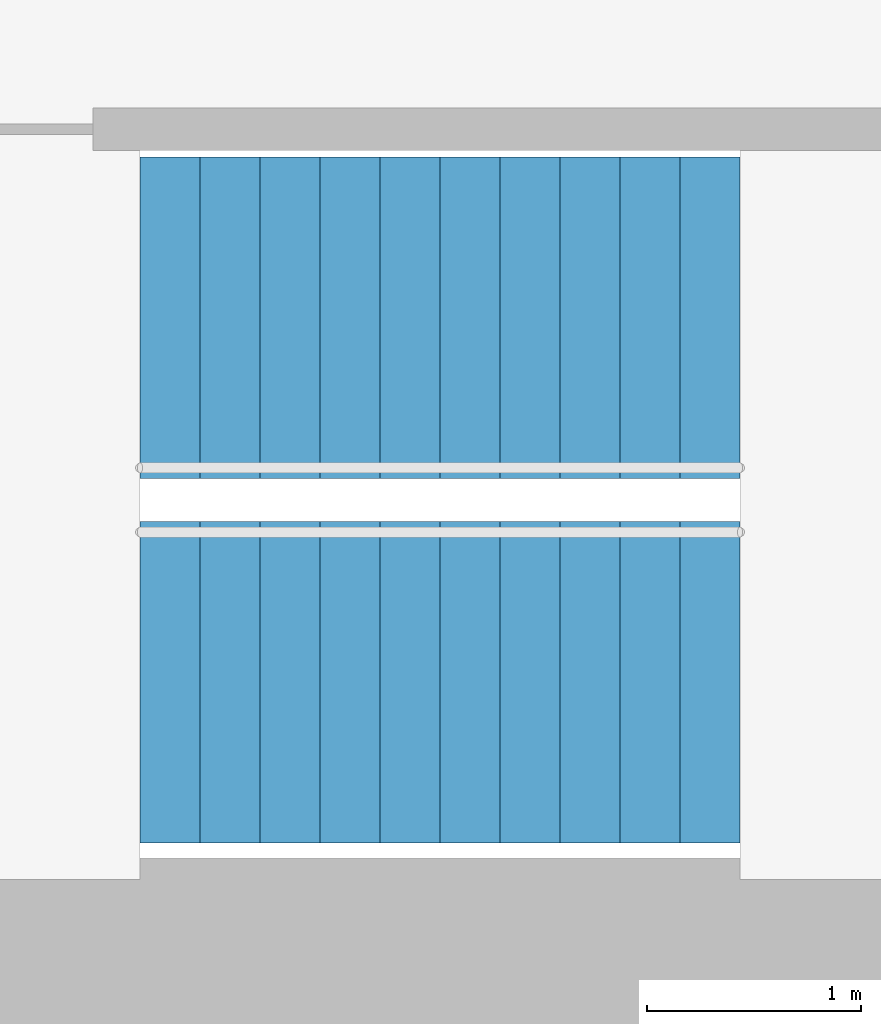
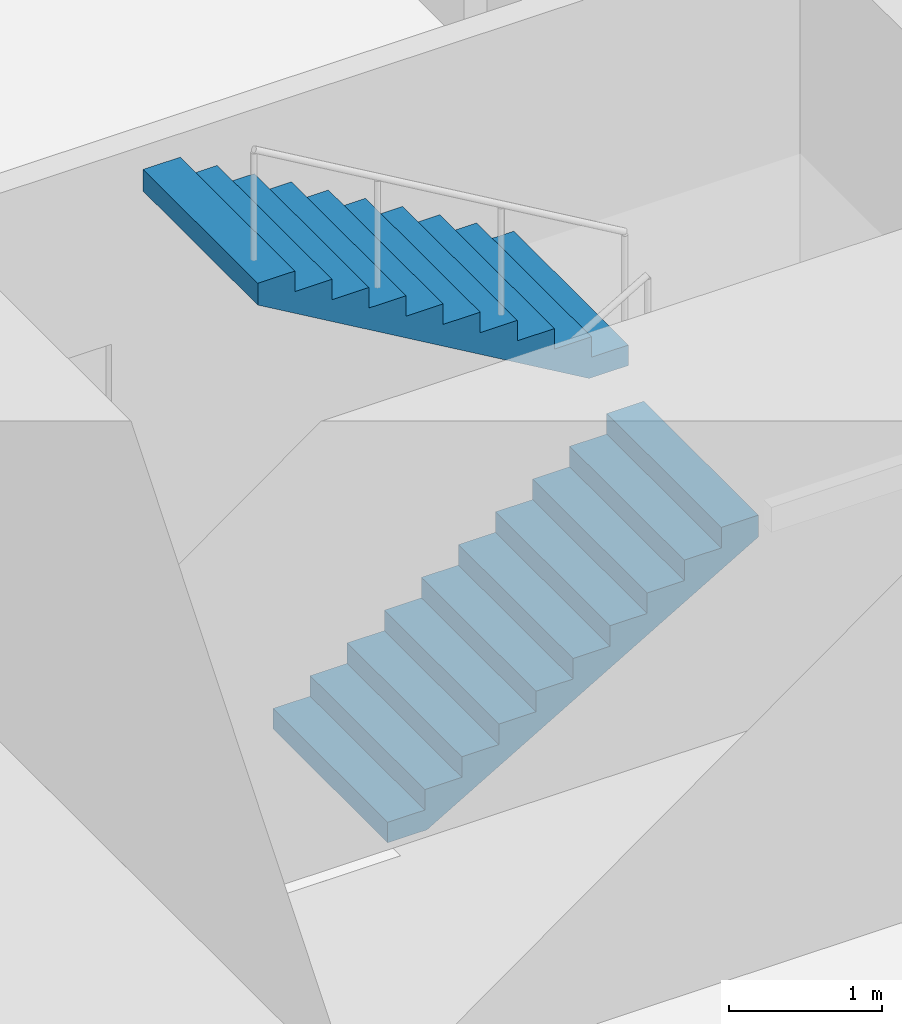
# One storey, part 13 of 15: 2 stair flights, 1 element without a shape of its own.
"""IFC4 building model written with IfcOpenShell, lengths in metres."""

from ifc_helpers import new_model, si_unit, direction, frame, origin, place, context, subcontext, project, spatial, triangles, material, type_object, element, aggregate, save


model = new_model("IFC4")

# Units and contexts
model_context = context("Model", 3, precision=1e-05, world=origin(), true_north=direction((0.0, 1.0)))
body_context = subcontext(model_context, "Body", "Model", "MODEL_VIEW")
ifc_project = project(units=[si_unit("LENGTHUNIT", "METRE"), si_unit("AREAUNIT", "SQUARE_METRE"), si_unit("VOLUMEUNIT", "CUBIC_METRE"), si_unit("PLANEANGLEUNIT", "RADIAN"), si_unit("MASSUNIT", "GRAM", prefix="KILO")], contexts=[model_context])

# Site, building, storey
site_placement = place(None, origin())
site = spatial("IfcSite", under=ifc_project, at=site_placement, CompositionType="ELEMENT")
building_placement = place(site_placement, origin())
building = spatial("IfcBuilding", under=site, at=building_placement, Name="Lantaw Convention Tower", CompositionType="ELEMENT")
storey_placement = place(building_placement, frame((0.0, 0.0, 101.800048828125)))
storey = spatial("IfcBuildingStorey", under=building, at=storey_placement, Name="L24", CompositionType="ELEMENT", Elevation=101.800048828125)

# Stair, stair flights
ifc_material = material(Name="Concrete C35/45", Category="concrete")
stair_type = type_object("IfcStairType", Name="Exit stair 1500 riser 163.64 in 2 flights", PredefinedType="HALF_TURN_STAIR", material=ifc_material)
stair_placement = place(storey_placement, origin())
stair = element("IfcStair", 1, at=stair_placement, inside=storey, type_object=stair_type, Name="Exit stair S1 L24", PredefinedType="HALF_TURN_STAIR")
stair_flight_type = type_object("IfcStairFlightType", Name="Stair flight 1500 riser 163.64", PredefinedType="STRAIGHT", material=ifc_material)
stair_flight_1_placement = place(storey_placement, frame((-10.580078125, -5.97998046875, 0.0), z_axis=(0.0, 0.0, 1.0), x_axis=(1.0, 0.0, 0.0)))
stair_flight_1 = element("IfcStairFlight", 2, at=stair_flight_1_placement, type_object=stair_flight_type, Name="S1 flight 1", NumberOfRisers=11, NumberOfTreads=10, PredefinedType="STRAIGHT", RiserHeight=0.163636364, TreadLength=0.28, context=body_context, shape_type="Tessellation", body=[
    triangles([(0.0, 0.75, 0.0), (0.0, 0.75, 0.163636364), (0.28, 0.75, 0.0), (0.28, 0.75, 0.163636364), (0.28, 0.75, 0.327272728), (0.2970904571225277, 0.75, 0.0), (0.2970904571225277, 0.75, 0.327272728), (0.56, 0.75, 0.1536484344906131), (0.56, 0.75, 0.327272728), (0.56, 0.75, 0.490909092), (0.8400000000000001, 0.75, 0.3172847984906131), (0.8400000000000001, 0.75, 0.490909092), (0.8400000000000001, 0.75, 0.654545456), (1.12, 0.75, 0.4809211624906131), (1.12, 0.75, 0.654545456), (1.12, 0.75, 0.8181818200000001), (1.4000000000000001, 0.75, 0.6445575264906132), (1.4000000000000001, 0.75, 0.8181818200000001), (1.4000000000000001, 0.75, 0.981818184), (1.6800000000000002, 0.75, 0.8081938904906131), (1.6800000000000002, 0.75, 0.981818184), (1.6800000000000002, 0.75, 1.145454548), (1.9600000000000002, 0.75, 0.9718302544906131), (1.9600000000000002, 0.75, 1.145454548), (1.9600000000000002, 0.75, 1.309090912), (2.24, 0.75, 1.135466618490613), (2.24, 0.75, 1.309090912), (2.24, 0.75, 1.472727276), (2.5200000000000005, 0.75, 1.2991029824906133), (2.5200000000000005, 0.75, 1.472727276), (2.5200000000000005, 0.75, 1.6363636400000001), (2.8000000000000003, 0.75, 1.462739346490613), (2.8000000000000003, 0.75, 1.6363636400000001), (0.0, -0.75, 0.0), (0.0, -0.75, 0.163636364), (0.28, -0.75, 0.0), (0.28, -0.75, 0.163636364), (0.28, -0.75, 0.327272728), (0.2970904571225277, -0.75, 0.0), (0.2970904571225277, -0.75, 0.327272728), (0.56, -0.75, 0.1536484344906131), (0.56, -0.75, 0.327272728), (0.56, -0.75, 0.490909092), (0.8400000000000001, -0.75, 0.3172847984906131), (0.8400000000000001, -0.75, 0.490909092), (0.8400000000000001, -0.75, 0.654545456), (1.12, -0.75, 0.4809211624906131), (1.12, -0.75, 0.654545456), (1.12, -0.75, 0.8181818200000001), (1.4000000000000001, -0.75, 0.6445575264906132), (1.4000000000000001, -0.75, 0.8181818200000001), (1.4000000000000001, -0.75, 0.981818184), (1.6800000000000002, -0.75, 0.8081938904906131), (1.6800000000000002, -0.75, 0.981818184), (1.6800000000000002, -0.75, 1.145454548), (1.9600000000000002, -0.75, 0.9718302544906131), (1.9600000000000002, -0.75, 1.145454548), (1.9600000000000002, -0.75, 1.309090912), (2.24, -0.75, 1.135466618490613), (2.24, -0.75, 1.309090912), (2.24, -0.75, 1.472727276), (2.5200000000000005, -0.75, 1.2991029824906133), (2.5200000000000005, -0.75, 1.472727276), (2.5200000000000005, -0.75, 1.6363636400000001), (2.8000000000000003, -0.75, 1.462739346490613), (2.8000000000000003, -0.75, 1.6363636400000001), (0.0, 0.15000000000000002, 0.163636364), (0.0, 0.15000000000000002, 0.0), (0.0, 0.0, 0.163636364), (0.0, 0.0, 0.0), (0.0, -0.15000000000000002, 0.163636364), (0.0, -0.15000000000000002, 0.0), (0.28, 0.15000000000000002, 0.327272728), (0.28, 0.15000000000000002, 0.163636364), (0.28, 0.0, 0.327272728), (0.28, 0.0, 0.163636364), (0.28, -0.15000000000000002, 0.327272728), (0.28, -0.15000000000000002, 0.163636364), (0.56, 0.15000000000000002, 0.490909092), (0.56, 0.15000000000000002, 0.327272728), (0.56, 0.0, 0.490909092), (0.56, 0.0, 0.327272728), (0.56, -0.15000000000000002, 0.490909092), (0.56, -0.15000000000000002, 0.327272728), (0.8400000000000001, 0.15000000000000002, 0.654545456), (0.8400000000000001, 0.15000000000000002, 0.490909092), (0.8400000000000001, 0.0, 0.654545456), (0.8400000000000001, 0.0, 0.490909092), (0.8400000000000001, -0.15000000000000002, 0.654545456), (0.8400000000000001, -0.15000000000000002, 0.490909092), (1.12, 0.15000000000000002, 0.8181818200000001), (1.12, 0.15000000000000002, 0.654545456), (1.12, 0.0, 0.8181818200000001), (1.12, 0.0, 0.654545456), (1.12, -0.15000000000000002, 0.8181818200000001), (1.12, -0.15000000000000002, 0.654545456), (1.4000000000000001, 0.15000000000000002, 0.981818184), (1.4000000000000001, 0.15000000000000002, 0.8181818200000001), (1.4000000000000001, 0.0, 0.981818184), (1.4000000000000001, 0.0, 0.8181818200000001), (1.4000000000000001, -0.15000000000000002, 0.981818184), (1.4000000000000001, -0.15000000000000002, 0.8181818200000001), (1.6800000000000002, 0.15000000000000002, 1.145454548), (1.6800000000000002, 0.15000000000000002, 0.981818184), (1.6800000000000002, 0.0, 1.145454548), (1.6800000000000002, 0.0, 0.981818184), (1.6800000000000002, -0.15000000000000002, 1.145454548), (1.6800000000000002, -0.15000000000000002, 0.981818184), (1.9600000000000002, 0.15000000000000002, 1.309090912), (1.9600000000000002, 0.15000000000000002, 1.145454548), (1.9600000000000002, 0.0, 1.309090912), (1.9600000000000002, 0.0, 1.145454548), (1.9600000000000002, -0.15000000000000002, 1.309090912), (1.9600000000000002, -0.15000000000000002, 1.145454548), (2.24, 0.15000000000000002, 1.472727276), (2.24, 0.15000000000000002, 1.309090912), (2.24, 0.0, 1.472727276), (2.24, 0.0, 1.309090912), (2.24, -0.15000000000000002, 1.472727276), (2.24, -0.15000000000000002, 1.309090912), (2.5200000000000005, 0.15000000000000002, 1.6363636400000001), (2.5200000000000005, 0.15000000000000002, 1.472727276), (2.5200000000000005, 0.0, 1.6363636400000001), (2.5200000000000005, 0.0, 1.472727276), (2.5200000000000005, -0.15000000000000002, 1.6363636400000001), (2.5200000000000005, -0.15000000000000002, 1.472727276), (0.2970904571225277, 0.15000000000000002, 0.327272728), (0.2970904571225277, 0.0, 0.327272728), (0.2970904571225277, -0.15000000000000002, 0.327272728), (2.8000000000000003, 0.15000000000000002, 1.6363636400000001), (2.8000000000000003, 0.0, 1.6363636400000001), (2.8000000000000003, -0.15000000000000002, 1.6363636400000001), (2.8000000000000003, 0.15000000000000002, 1.462739346490613), (2.8000000000000003, 0.0, 1.462739346490613), (2.8000000000000003, -0.15000000000000002, 1.462739346490613), (2.5200000000000005, 0.15000000000000002, 1.2991029824906133), (2.5200000000000005, 0.0, 1.2991029824906133), (2.5200000000000005, -0.15000000000000002, 1.2991029824906133), (2.24, 0.15000000000000002, 1.135466618490613), (2.24, 0.0, 1.135466618490613), (2.24, -0.15000000000000002, 1.135466618490613), (1.9600000000000002, 0.15000000000000002, 0.9718302544906131), (1.9600000000000002, 0.0, 0.9718302544906131), (1.9600000000000002, -0.15000000000000002, 0.9718302544906131), (1.6800000000000002, 0.15000000000000002, 0.8081938904906131), (1.6800000000000002, 0.0, 0.8081938904906131), (1.6800000000000002, -0.15000000000000002, 0.8081938904906131), (1.4000000000000001, 0.15000000000000002, 0.6445575264906132), (1.4000000000000001, 0.0, 0.6445575264906132), (1.4000000000000001, -0.15000000000000002, 0.6445575264906132), (1.12, 0.15000000000000002, 0.4809211624906131), (1.12, 0.0, 0.4809211624906131), (1.12, -0.15000000000000002, 0.4809211624906131), (0.8400000000000001, 0.15000000000000002, 0.3172847984906131), (0.8400000000000001, 0.0, 0.3172847984906131), (0.8400000000000001, -0.15000000000000002, 0.3172847984906131), (0.56, 0.15000000000000002, 0.1536484344906131), (0.56, 0.0, 0.1536484344906131), (0.56, -0.15000000000000002, 0.1536484344906131), (0.2970904571225277, 0.15000000000000002, 0.0), (0.2970904571225277, 0.0, 0.0), (0.2970904571225277, -0.15000000000000002, 0.0), (0.28, 0.15000000000000002, 0.0), (0.28, 0.0, 0.0), (0.28, -0.15000000000000002, 0.0)], [[1, 4, 3], [1, 2, 4], [3, 4, 6], [4, 7, 6], [4, 5, 7], [6, 9, 8], [6, 7, 9], [8, 9, 11], [9, 12, 11], [9, 10, 12], [11, 12, 14], [12, 15, 14], [12, 13, 15], [14, 15, 17], [15, 18, 17], [15, 16, 18], [17, 18, 20], [18, 21, 20], [18, 19, 21], [20, 21, 23], [21, 24, 23], [21, 22, 24], [23, 24, 26], [24, 27, 26], [24, 25, 27], [26, 27, 29], [27, 30, 29], [27, 28, 30], [29, 30, 32], [30, 33, 32], [30, 31, 33], [34, 36, 37], [34, 37, 35], [36, 39, 37], [37, 39, 40], [37, 40, 38], [39, 41, 42], [39, 42, 40], [41, 44, 42], [42, 44, 45], [42, 45, 43], [44, 47, 45], [45, 47, 48], [45, 48, 46], [47, 50, 48], [48, 50, 51], [48, 51, 49], [50, 53, 51], [51, 53, 54], [51, 54, 52], [53, 56, 54], [54, 56, 57], [54, 57, 55], [56, 59, 57], [57, 59, 60], [57, 60, 58], [59, 62, 60], [60, 62, 63], [60, 63, 61], [62, 65, 63], [63, 65, 66], [63, 66, 64], [1, 67, 2], [1, 68, 67], [68, 69, 67], [68, 70, 69], [70, 71, 69], [70, 72, 71], [72, 35, 71], [72, 34, 35], [4, 73, 5], [4, 74, 73], [74, 75, 73], [74, 76, 75], [76, 77, 75], [76, 78, 77], [78, 38, 77], [78, 37, 38], [9, 79, 10], [9, 80, 79], [80, 81, 79], [80, 82, 81], [82, 83, 81], [82, 84, 83], [84, 43, 83], [84, 42, 43], [12, 85, 13], [12, 86, 85], [86, 87, 85], [86, 88, 87], [88, 89, 87], [88, 90, 89], [90, 46, 89], [90, 45, 46], [15, 91, 16], [15, 92, 91], [92, 93, 91], [92, 94, 93], [94, 95, 93], [94, 96, 95], [96, 49, 95], [96, 48, 49], [18, 97, 19], [18, 98, 97], [98, 99, 97], [98, 100, 99], [100, 101, 99], [100, 102, 101], [102, 52, 101], [102, 51, 52], [21, 103, 22], [21, 104, 103], [104, 105, 103], [104, 106, 105], [106, 107, 105], [106, 108, 107], [108, 55, 107], [108, 54, 55], [24, 109, 25], [24, 110, 109], [110, 111, 109], [110, 112, 111], [112, 113, 111], [112, 114, 113], [114, 58, 113], [114, 57, 58], [27, 115, 28], [27, 116, 115], [116, 117, 115], [116, 118, 117], [118, 119, 117], [118, 120, 119], [120, 61, 119], [120, 60, 61], [30, 121, 31], [30, 122, 121], [122, 123, 121], [122, 124, 123], [124, 125, 123], [124, 126, 125], [126, 64, 125], [126, 63, 64], [2, 74, 4], [2, 67, 74], [67, 76, 74], [67, 69, 76], [69, 78, 76], [69, 71, 78], [71, 37, 78], [71, 35, 37], [5, 127, 7], [5, 73, 127], [73, 128, 127], [73, 75, 128], [75, 129, 128], [75, 77, 129], [77, 40, 129], [77, 38, 40], [7, 80, 9], [7, 127, 80], [127, 82, 80], [127, 128, 82], [128, 84, 82], [128, 129, 84], [129, 42, 84], [129, 40, 42], [10, 86, 12], [10, 79, 86], [79, 88, 86], [79, 81, 88], [81, 90, 88], [81, 83, 90], [83, 45, 90], [83, 43, 45], [13, 92, 15], [13, 85, 92], [85, 94, 92], [85, 87, 94], [87, 96, 94], [87, 89, 96], [89, 48, 96], [89, 46, 48], [16, 98, 18], [16, 91, 98], [91, 100, 98], [91, 93, 100], [93, 102, 100], [93, 95, 102], [95, 51, 102], [95, 49, 51], [19, 104, 21], [19, 97, 104], [97, 106, 104], [97, 99, 106], [99, 108, 106], [99, 101, 108], [101, 54, 108], [101, 52, 54], [22, 110, 24], [22, 103, 110], [103, 112, 110], [103, 105, 112], [105, 114, 112], [105, 107, 114], [107, 57, 114], [107, 55, 57], [25, 116, 27], [25, 109, 116], [109, 118, 116], [109, 111, 118], [111, 120, 118], [111, 113, 120], [113, 60, 120], [113, 58, 60], [28, 122, 30], [28, 115, 122], [115, 124, 122], [115, 117, 124], [117, 126, 124], [117, 119, 126], [119, 63, 126], [119, 61, 63], [31, 130, 33], [31, 121, 130], [121, 131, 130], [121, 123, 131], [123, 132, 131], [123, 125, 132], [125, 66, 132], [125, 64, 66], [33, 133, 32], [33, 130, 133], [130, 134, 133], [130, 131, 134], [131, 135, 134], [131, 132, 135], [132, 65, 135], [132, 66, 65], [32, 136, 29], [32, 133, 136], [133, 137, 136], [133, 134, 137], [134, 138, 137], [134, 135, 138], [135, 62, 138], [135, 65, 62], [29, 139, 26], [29, 136, 139], [136, 140, 139], [136, 137, 140], [137, 141, 140], [137, 138, 141], [138, 59, 141], [138, 62, 59], [26, 142, 23], [26, 139, 142], [139, 143, 142], [139, 140, 143], [140, 144, 143], [140, 141, 144], [141, 56, 144], [141, 59, 56], [23, 145, 20], [23, 142, 145], [142, 146, 145], [142, 143, 146], [143, 147, 146], [143, 144, 147], [144, 53, 147], [144, 56, 53], [20, 148, 17], [20, 145, 148], [145, 149, 148], [145, 146, 149], [146, 150, 149], [146, 147, 150], [147, 50, 150], [147, 53, 50], [17, 151, 14], [17, 148, 151], [148, 152, 151], [148, 149, 152], [149, 153, 152], [149, 150, 153], [150, 47, 153], [150, 50, 47], [14, 154, 11], [14, 151, 154], [151, 155, 154], [151, 152, 155], [152, 156, 155], [152, 153, 156], [153, 44, 156], [153, 47, 44], [11, 157, 8], [11, 154, 157], [154, 158, 157], [154, 155, 158], [155, 159, 158], [155, 156, 159], [156, 41, 159], [156, 44, 41], [8, 160, 6], [8, 157, 160], [157, 161, 160], [157, 158, 161], [158, 162, 161], [158, 159, 162], [159, 39, 162], [159, 41, 39], [6, 163, 3], [6, 160, 163], [160, 164, 163], [160, 161, 164], [161, 165, 164], [161, 162, 165], [162, 36, 165], [162, 39, 36], [3, 68, 1], [3, 163, 68], [163, 70, 68], [163, 164, 70], [164, 72, 70], [164, 165, 72], [165, 34, 72], [165, 36, 34]], closed=True),
])
stair_flight_2_placement = place(storey_placement, frame((-7.780029296875, -4.280029296875, 1.800048828125), z_axis=(0.0, 0.0, 1.0), x_axis=(-1.0, 0.0, 0.0)))
stair_flight_2 = element("IfcStairFlight", 3, at=stair_flight_2_placement, type_object=stair_flight_type, Name="S1 flight 2", NumberOfRisers=11, NumberOfTreads=10, PredefinedType="STRAIGHT", RiserHeight=0.163636364, TreadLength=0.28, context=body_context, shape_type="Tessellation", body=[
    triangles([(0.0, 0.75, 0.0), (0.0, 0.75, 0.163636364), (0.28, 0.75, 0.0), (0.28, 0.75, 0.163636364), (0.28, 0.75, 0.327272728), (0.2970904571225277, 0.75, 0.0), (0.2970904571225277, 0.75, 0.327272728), (0.56, 0.75, 0.1536484344906131), (0.56, 0.75, 0.327272728), (0.56, 0.75, 0.490909092), (0.8400000000000001, 0.75, 0.3172847984906131), (0.8400000000000001, 0.75, 0.490909092), (0.8400000000000001, 0.75, 0.654545456), (1.12, 0.75, 0.4809211624906131), (1.12, 0.75, 0.654545456), (1.12, 0.75, 0.8181818200000001), (1.4000000000000001, 0.75, 0.6445575264906132), (1.4000000000000001, 0.75, 0.8181818200000001), (1.4000000000000001, 0.75, 0.981818184), (1.6800000000000002, 0.75, 0.8081938904906131), (1.6800000000000002, 0.75, 0.981818184), (1.6800000000000002, 0.75, 1.145454548), (1.9600000000000002, 0.75, 0.9718302544906131), (1.9600000000000002, 0.75, 1.145454548), (1.9600000000000002, 0.75, 1.309090912), (2.24, 0.75, 1.135466618490613), (2.24, 0.75, 1.309090912), (2.24, 0.75, 1.472727276), (2.5200000000000005, 0.75, 1.2991029824906133), (2.5200000000000005, 0.75, 1.472727276), (2.5200000000000005, 0.75, 1.6363636400000001), (2.8000000000000003, 0.75, 1.462739346490613), (2.8000000000000003, 0.75, 1.6363636400000001), (0.0, -0.75, 0.0), (0.0, -0.75, 0.163636364), (0.28, -0.75, 0.0), (0.28, -0.75, 0.163636364), (0.28, -0.75, 0.327272728), (0.2970904571225277, -0.75, 0.0), (0.2970904571225277, -0.75, 0.327272728), (0.56, -0.75, 0.1536484344906131), (0.56, -0.75, 0.327272728), (0.56, -0.75, 0.490909092), (0.8400000000000001, -0.75, 0.3172847984906131), (0.8400000000000001, -0.75, 0.490909092), (0.8400000000000001, -0.75, 0.654545456), (1.12, -0.75, 0.4809211624906131), (1.12, -0.75, 0.654545456), (1.12, -0.75, 0.8181818200000001), (1.4000000000000001, -0.75, 0.6445575264906132), (1.4000000000000001, -0.75, 0.8181818200000001), (1.4000000000000001, -0.75, 0.981818184), (1.6800000000000002, -0.75, 0.8081938904906131), (1.6800000000000002, -0.75, 0.981818184), (1.6800000000000002, -0.75, 1.145454548), (1.9600000000000002, -0.75, 0.9718302544906131), (1.9600000000000002, -0.75, 1.145454548), (1.9600000000000002, -0.75, 1.309090912), (2.24, -0.75, 1.135466618490613), (2.24, -0.75, 1.309090912), (2.24, -0.75, 1.472727276), (2.5200000000000005, -0.75, 1.2991029824906133), (2.5200000000000005, -0.75, 1.472727276), (2.5200000000000005, -0.75, 1.6363636400000001), (2.8000000000000003, -0.75, 1.462739346490613), (2.8000000000000003, -0.75, 1.6363636400000001), (0.0, 0.15000000000000002, 0.163636364), (0.0, 0.15000000000000002, 0.0), (0.0, 0.0, 0.163636364), (0.0, 0.0, 0.0), (0.0, -0.15000000000000002, 0.163636364), (0.0, -0.15000000000000002, 0.0), (0.28, 0.15000000000000002, 0.327272728), (0.28, 0.15000000000000002, 0.163636364), (0.28, 0.0, 0.327272728), (0.28, 0.0, 0.163636364), (0.28, -0.15000000000000002, 0.327272728), (0.28, -0.15000000000000002, 0.163636364), (0.56, 0.15000000000000002, 0.490909092), (0.56, 0.15000000000000002, 0.327272728), (0.56, 0.0, 0.490909092), (0.56, 0.0, 0.327272728), (0.56, -0.15000000000000002, 0.490909092), (0.56, -0.15000000000000002, 0.327272728), (0.8400000000000001, 0.15000000000000002, 0.654545456), (0.8400000000000001, 0.15000000000000002, 0.490909092), (0.8400000000000001, 0.0, 0.654545456), (0.8400000000000001, 0.0, 0.490909092), (0.8400000000000001, -0.15000000000000002, 0.654545456), (0.8400000000000001, -0.15000000000000002, 0.490909092), (1.12, 0.15000000000000002, 0.8181818200000001), (1.12, 0.15000000000000002, 0.654545456), (1.12, 0.0, 0.8181818200000001), (1.12, 0.0, 0.654545456), (1.12, -0.15000000000000002, 0.8181818200000001), (1.12, -0.15000000000000002, 0.654545456), (1.4000000000000001, 0.15000000000000002, 0.981818184), (1.4000000000000001, 0.15000000000000002, 0.8181818200000001), (1.4000000000000001, 0.0, 0.981818184), (1.4000000000000001, 0.0, 0.8181818200000001), (1.4000000000000001, -0.15000000000000002, 0.981818184), (1.4000000000000001, -0.15000000000000002, 0.8181818200000001), (1.6800000000000002, 0.15000000000000002, 1.145454548), (1.6800000000000002, 0.15000000000000002, 0.981818184), (1.6800000000000002, 0.0, 1.145454548), (1.6800000000000002, 0.0, 0.981818184), (1.6800000000000002, -0.15000000000000002, 1.145454548), (1.6800000000000002, -0.15000000000000002, 0.981818184), (1.9600000000000002, 0.15000000000000002, 1.309090912), (1.9600000000000002, 0.15000000000000002, 1.145454548), (1.9600000000000002, 0.0, 1.309090912), (1.9600000000000002, 0.0, 1.145454548), (1.9600000000000002, -0.15000000000000002, 1.309090912), (1.9600000000000002, -0.15000000000000002, 1.145454548), (2.24, 0.15000000000000002, 1.472727276), (2.24, 0.15000000000000002, 1.309090912), (2.24, 0.0, 1.472727276), (2.24, 0.0, 1.309090912), (2.24, -0.15000000000000002, 1.472727276), (2.24, -0.15000000000000002, 1.309090912), (2.5200000000000005, 0.15000000000000002, 1.6363636400000001), (2.5200000000000005, 0.15000000000000002, 1.472727276), (2.5200000000000005, 0.0, 1.6363636400000001), (2.5200000000000005, 0.0, 1.472727276), (2.5200000000000005, -0.15000000000000002, 1.6363636400000001), (2.5200000000000005, -0.15000000000000002, 1.472727276), (0.2970904571225277, 0.15000000000000002, 0.327272728), (0.2970904571225277, 0.0, 0.327272728), (0.2970904571225277, -0.15000000000000002, 0.327272728), (2.8000000000000003, 0.15000000000000002, 1.6363636400000001), (2.8000000000000003, 0.0, 1.6363636400000001), (2.8000000000000003, -0.15000000000000002, 1.6363636400000001), (2.8000000000000003, 0.15000000000000002, 1.462739346490613), (2.8000000000000003, 0.0, 1.462739346490613), (2.8000000000000003, -0.15000000000000002, 1.462739346490613), (2.5200000000000005, 0.15000000000000002, 1.2991029824906133), (2.5200000000000005, 0.0, 1.2991029824906133), (2.5200000000000005, -0.15000000000000002, 1.2991029824906133), (2.24, 0.15000000000000002, 1.135466618490613), (2.24, 0.0, 1.135466618490613), (2.24, -0.15000000000000002, 1.135466618490613), (1.9600000000000002, 0.15000000000000002, 0.9718302544906131), (1.9600000000000002, 0.0, 0.9718302544906131), (1.9600000000000002, -0.15000000000000002, 0.9718302544906131), (1.6800000000000002, 0.15000000000000002, 0.8081938904906131), (1.6800000000000002, 0.0, 0.8081938904906131), (1.6800000000000002, -0.15000000000000002, 0.8081938904906131), (1.4000000000000001, 0.15000000000000002, 0.6445575264906132), (1.4000000000000001, 0.0, 0.6445575264906132), (1.4000000000000001, -0.15000000000000002, 0.6445575264906132), (1.12, 0.15000000000000002, 0.4809211624906131), (1.12, 0.0, 0.4809211624906131), (1.12, -0.15000000000000002, 0.4809211624906131), (0.8400000000000001, 0.15000000000000002, 0.3172847984906131), (0.8400000000000001, 0.0, 0.3172847984906131), (0.8400000000000001, -0.15000000000000002, 0.3172847984906131), (0.56, 0.15000000000000002, 0.1536484344906131), (0.56, 0.0, 0.1536484344906131), (0.56, -0.15000000000000002, 0.1536484344906131), (0.2970904571225277, 0.15000000000000002, 0.0), (0.2970904571225277, 0.0, 0.0), (0.2970904571225277, -0.15000000000000002, 0.0), (0.28, 0.15000000000000002, 0.0), (0.28, 0.0, 0.0), (0.28, -0.15000000000000002, 0.0)], [[1, 4, 3], [1, 2, 4], [3, 4, 6], [4, 7, 6], [4, 5, 7], [6, 9, 8], [6, 7, 9], [8, 9, 11], [9, 12, 11], [9, 10, 12], [11, 12, 14], [12, 15, 14], [12, 13, 15], [14, 15, 17], [15, 18, 17], [15, 16, 18], [17, 18, 20], [18, 21, 20], [18, 19, 21], [20, 21, 23], [21, 24, 23], [21, 22, 24], [23, 24, 26], [24, 27, 26], [24, 25, 27], [26, 27, 29], [27, 30, 29], [27, 28, 30], [29, 30, 32], [30, 33, 32], [30, 31, 33], [34, 36, 37], [34, 37, 35], [36, 39, 37], [37, 39, 40], [37, 40, 38], [39, 41, 42], [39, 42, 40], [41, 44, 42], [42, 44, 45], [42, 45, 43], [44, 47, 45], [45, 47, 48], [45, 48, 46], [47, 50, 48], [48, 50, 51], [48, 51, 49], [50, 53, 51], [51, 53, 54], [51, 54, 52], [53, 56, 54], [54, 56, 57], [54, 57, 55], [56, 59, 57], [57, 59, 60], [57, 60, 58], [59, 62, 60], [60, 62, 63], [60, 63, 61], [62, 65, 63], [63, 65, 66], [63, 66, 64], [1, 67, 2], [1, 68, 67], [68, 69, 67], [68, 70, 69], [70, 71, 69], [70, 72, 71], [72, 35, 71], [72, 34, 35], [4, 73, 5], [4, 74, 73], [74, 75, 73], [74, 76, 75], [76, 77, 75], [76, 78, 77], [78, 38, 77], [78, 37, 38], [9, 79, 10], [9, 80, 79], [80, 81, 79], [80, 82, 81], [82, 83, 81], [82, 84, 83], [84, 43, 83], [84, 42, 43], [12, 85, 13], [12, 86, 85], [86, 87, 85], [86, 88, 87], [88, 89, 87], [88, 90, 89], [90, 46, 89], [90, 45, 46], [15, 91, 16], [15, 92, 91], [92, 93, 91], [92, 94, 93], [94, 95, 93], [94, 96, 95], [96, 49, 95], [96, 48, 49], [18, 97, 19], [18, 98, 97], [98, 99, 97], [98, 100, 99], [100, 101, 99], [100, 102, 101], [102, 52, 101], [102, 51, 52], [21, 103, 22], [21, 104, 103], [104, 105, 103], [104, 106, 105], [106, 107, 105], [106, 108, 107], [108, 55, 107], [108, 54, 55], [24, 109, 25], [24, 110, 109], [110, 111, 109], [110, 112, 111], [112, 113, 111], [112, 114, 113], [114, 58, 113], [114, 57, 58], [27, 115, 28], [27, 116, 115], [116, 117, 115], [116, 118, 117], [118, 119, 117], [118, 120, 119], [120, 61, 119], [120, 60, 61], [30, 121, 31], [30, 122, 121], [122, 123, 121], [122, 124, 123], [124, 125, 123], [124, 126, 125], [126, 64, 125], [126, 63, 64], [2, 74, 4], [2, 67, 74], [67, 76, 74], [67, 69, 76], [69, 78, 76], [69, 71, 78], [71, 37, 78], [71, 35, 37], [5, 127, 7], [5, 73, 127], [73, 128, 127], [73, 75, 128], [75, 129, 128], [75, 77, 129], [77, 40, 129], [77, 38, 40], [7, 80, 9], [7, 127, 80], [127, 82, 80], [127, 128, 82], [128, 84, 82], [128, 129, 84], [129, 42, 84], [129, 40, 42], [10, 86, 12], [10, 79, 86], [79, 88, 86], [79, 81, 88], [81, 90, 88], [81, 83, 90], [83, 45, 90], [83, 43, 45], [13, 92, 15], [13, 85, 92], [85, 94, 92], [85, 87, 94], [87, 96, 94], [87, 89, 96], [89, 48, 96], [89, 46, 48], [16, 98, 18], [16, 91, 98], [91, 100, 98], [91, 93, 100], [93, 102, 100], [93, 95, 102], [95, 51, 102], [95, 49, 51], [19, 104, 21], [19, 97, 104], [97, 106, 104], [97, 99, 106], [99, 108, 106], [99, 101, 108], [101, 54, 108], [101, 52, 54], [22, 110, 24], [22, 103, 110], [103, 112, 110], [103, 105, 112], [105, 114, 112], [105, 107, 114], [107, 57, 114], [107, 55, 57], [25, 116, 27], [25, 109, 116], [109, 118, 116], [109, 111, 118], [111, 120, 118], [111, 113, 120], [113, 60, 120], [113, 58, 60], [28, 122, 30], [28, 115, 122], [115, 124, 122], [115, 117, 124], [117, 126, 124], [117, 119, 126], [119, 63, 126], [119, 61, 63], [31, 130, 33], [31, 121, 130], [121, 131, 130], [121, 123, 131], [123, 132, 131], [123, 125, 132], [125, 66, 132], [125, 64, 66], [33, 133, 32], [33, 130, 133], [130, 134, 133], [130, 131, 134], [131, 135, 134], [131, 132, 135], [132, 65, 135], [132, 66, 65], [32, 136, 29], [32, 133, 136], [133, 137, 136], [133, 134, 137], [134, 138, 137], [134, 135, 138], [135, 62, 138], [135, 65, 62], [29, 139, 26], [29, 136, 139], [136, 140, 139], [136, 137, 140], [137, 141, 140], [137, 138, 141], [138, 59, 141], [138, 62, 59], [26, 142, 23], [26, 139, 142], [139, 143, 142], [139, 140, 143], [140, 144, 143], [140, 141, 144], [141, 56, 144], [141, 59, 56], [23, 145, 20], [23, 142, 145], [142, 146, 145], [142, 143, 146], [143, 147, 146], [143, 144, 147], [144, 53, 147], [144, 56, 53], [20, 148, 17], [20, 145, 148], [145, 149, 148], [145, 146, 149], [146, 150, 149], [146, 147, 150], [147, 50, 150], [147, 53, 50], [17, 151, 14], [17, 148, 151], [148, 152, 151], [148, 149, 152], [149, 153, 152], [149, 150, 153], [150, 47, 153], [150, 50, 47], [14, 154, 11], [14, 151, 154], [151, 155, 154], [151, 152, 155], [152, 156, 155], [152, 153, 156], [153, 44, 156], [153, 47, 44], [11, 157, 8], [11, 154, 157], [154, 158, 157], [154, 155, 158], [155, 159, 158], [155, 156, 159], [156, 41, 159], [156, 44, 41], [8, 160, 6], [8, 157, 160], [157, 161, 160], [157, 158, 161], [158, 162, 161], [158, 159, 162], [159, 39, 162], [159, 41, 39], [6, 163, 3], [6, 160, 163], [160, 164, 163], [160, 161, 164], [161, 165, 164], [161, 162, 165], [162, 36, 165], [162, 39, 36], [3, 68, 1], [3, 163, 68], [163, 70, 68], [163, 164, 70], [164, 72, 70], [164, 165, 72], [165, 34, 72], [165, 36, 34]], closed=True),
])
aggregate(stair, [stair_flight_1, stair_flight_2])

save(model, "model.ifc")
